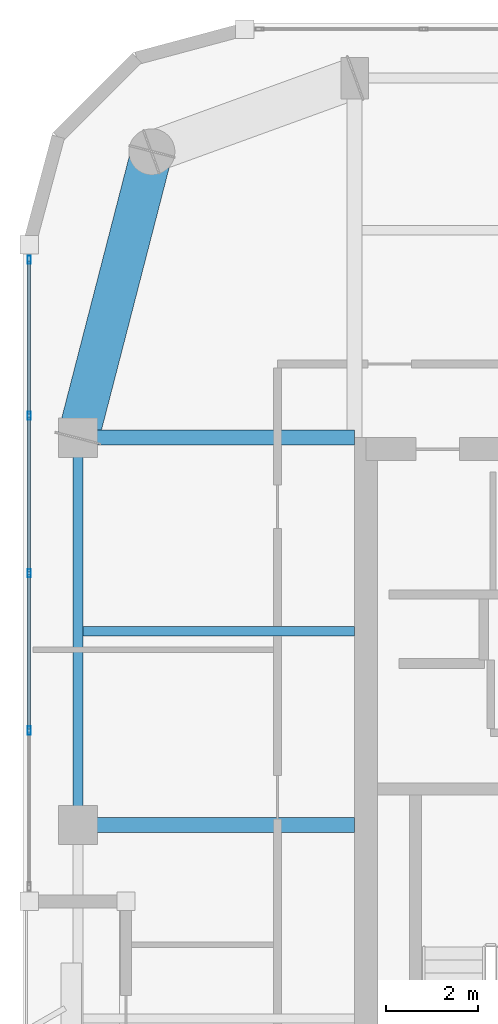
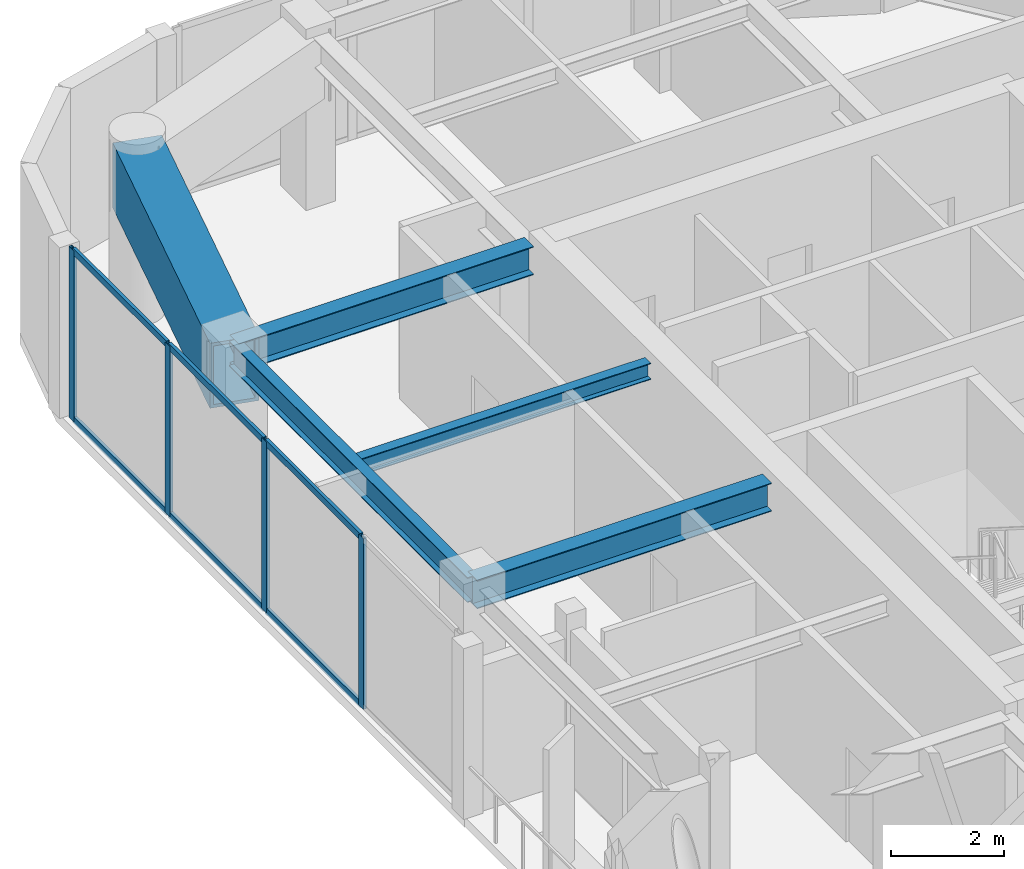
# One storey, part 4 of 16: 10 members, 5 beams, 1 element without a shape of its own.
"""IFC4 building model written with IfcOpenShell, lengths in metres."""

import ifcopenshell
import ifcopenshell.guid

model = None  # the IFC model being written
_history = None  # IfcOwnerHistory: only IFC2X3 demands one
_inside = {}  # id of a spatial element -> (the spatial element, [elements in it])
_under = {}  # id of a project, library or spatial element -> (it, [spatial elements below it])
_declared = {}  # id of a project -> (the project, [libraries it declares])
_typed = {}  # id of a type object -> (the type object, [elements of that type])
_made_of = {}  # id of a material, layer set ... -> (it, [elements and type objects made of it])


def new_model(schema):
    """Start an empty IFC model of exactly this schema.

    Asked for "IFC4X3", IfcOpenShell would pick the latest addendum, in which some entities
    have other attributes; the version numbers below select the first issue.
    IFC2X3 requires an IfcOwnerHistory on every rooted entity: one is made here for all.
    """
    global model, _history
    if schema == "IFC4X3":
        model = ifcopenshell.file(schema_version=(4, 3, 0, 0))
    else:
        model = ifcopenshell.file(schema=schema)
    _inside.clear()
    _under.clear()
    _declared.clear()
    _typed.clear()
    _made_of.clear()
    _history = None
    if model.schema == "IFC2X3":
        org = make("IfcOrganization", Name="unknown")
        user = make(
            "IfcPersonAndOrganization",
            ThePerson=make("IfcPerson", FamilyName="unknown"),
            TheOrganization=org,
        )
        app = make(
            "IfcApplication",
            ApplicationDeveloper=org,
            Version="unknown",
            ApplicationFullName="unknown",
            ApplicationIdentifier="unknown",
        )
        _history = make(
            "IfcOwnerHistory",
            OwningUser=user,
            OwningApplication=app,
            ChangeAction="ADDED",
            CreationDate=0,
        )
    return model


def make(cls, **values):
    """One entity of the class cls with the attributes given. An attribute that is None is left unset."""
    return model.create_entity(
        cls, **{name: value for name, value in values.items() if value is not None}
    )


def rooted(cls, **values):
    """An entity with a GlobalId (a new one), such as an element, a storey or a relation."""
    return make(cls, GlobalId=ifcopenshell.guid.new(), OwnerHistory=_history, **values)


def si_unit(unit_type, name, prefix=None):
    """IfcSIUnit, for example si_unit("LENGTHUNIT", "METRE", prefix="MILLI")."""
    return make("IfcSIUnit", UnitType=unit_type, Prefix=prefix, Name=name)


def assignment(units):
    """IfcUnitAssignment: the units of a project."""
    return None if units is None else make("IfcUnitAssignment", Units=units)


def point(xyz):
    """IfcCartesianPoint."""
    return None if xyz is None else make("IfcCartesianPoint", Coordinates=xyz)


def direction(xyz):
    """IfcDirection."""
    return None if xyz is None else make("IfcDirection", DirectionRatios=xyz)


def frame(location, z_axis=None, x_axis=None):
    """IfcAxis2Placement3D, a coordinate frame: its origin and axes. An axis left out is left unset."""
    return make(
        "IfcAxis2Placement3D",
        Location=point(location),
        Axis=direction(z_axis),
        RefDirection=direction(x_axis),
    )


def frame_2d(location, x_axis=None):
    """IfcAxis2Placement2D, a coordinate frame in the plane: its origin and x axis."""
    return make(
        "IfcAxis2Placement2D", Location=point(location), RefDirection=direction(x_axis)
    )


def origin():
    """The frame at (0, 0, 0) with its axes left unset."""
    return frame((0.0, 0.0, 0.0))


def origin_2d():
    """The frame at (0, 0) in the plane with its x axis left unset."""
    return frame_2d((0.0, 0.0))


def place(relative_to, where):
    """IfcLocalPlacement: puts the frame where relative to a parent placement (None: the world)."""
    return make(
        "IfcLocalPlacement", PlacementRelTo=relative_to, RelativePlacement=where
    )


def context(
    kind, dimensions, precision=None, world=None, true_north=None, identifier=None
):
    """IfcGeometricRepresentationContext, for example the 3D "Model" context."""
    return make(
        "IfcGeometricRepresentationContext",
        ContextIdentifier=identifier,
        ContextType=kind,
        CoordinateSpaceDimension=dimensions,
        Precision=precision,
        WorldCoordinateSystem=world,
        TrueNorth=true_north,
    )


def subcontext(parent, identifier, kind, view, scale=None):
    """IfcGeometricRepresentationSubContext, for example "Body" below "Model"."""
    return make(
        "IfcGeometricRepresentationSubContext",
        ContextIdentifier=identifier,
        ContextType=kind,
        ParentContext=parent,
        TargetScale=scale,
        TargetView=view,
    )


def project(units=None, contexts=None):
    """IfcProject with its units and contexts."""
    return rooted(
        "IfcProject",
        Name="project",
        RepresentationContexts=contexts,
        UnitsInContext=assignment(units),
    )


def spatial(cls, under=None, at=None, **own):
    """A site, building, storey or space (cls), placed at a placement, below another one or the project."""
    s = rooted(cls, ObjectPlacement=at, **own)
    if under is not None:
        _under.setdefault(under.id(), (under, []))[1].append(s)
    return s


def profile(cls, at=None, kind="AREA", **sizes):
    """A parametric profile (cls). Its sizes go by their IFC names, for example OverallWidth=200.0."""
    return make(cls, ProfileType=kind, Position=at, **sizes)


def hollow_rectangle(**sizes):
    """IfcRectangleHollowProfileDef."""
    return profile("IfcRectangleHollowProfileDef", **sizes)


def i_section(**sizes):
    """IfcIShapeProfileDef."""
    return profile("IfcIShapeProfileDef", **sizes)


def extrude(swept, where, along, depth):
    """IfcExtrudedAreaSolid: the profile swept, set in the frame where, extruded along a direction by depth."""
    return make(
        "IfcExtrudedAreaSolid",
        SweptArea=swept,
        Position=where,
        ExtrudedDirection=direction(along),
        Depth=depth,
    )


def shape(context_of_items, identifier, shape_type, items):
    """IfcShapeRepresentation: the items that make up one representation, for example the "Body"."""
    return make(
        "IfcShapeRepresentation",
        ContextOfItems=context_of_items,
        RepresentationIdentifier=identifier,
        RepresentationType=shape_type,
        Items=items,
    )


def material(Name=None, Category=None):
    """IfcMaterial."""
    return make("IfcMaterial", Name=Name, Category=Category)


def layer(
    of_material, thickness, ventilated=None, Name=None, Category=None, Priority=None
):
    """IfcMaterialLayer: one layer of a wall or slab, of a material (None: an air gap)."""
    return make(
        "IfcMaterialLayer",
        Material=of_material,
        LayerThickness=thickness,
        IsVentilated=ventilated,
        Name=Name,
        Category=Category,
        Priority=Priority,
    )


def layer_set(layers, Name=None):
    """IfcMaterialLayerSet."""
    return make("IfcMaterialLayerSet", MaterialLayers=layers, LayerSetName=Name)


def material_profile(
    of_material, cross_section, Name=None, Category=None, Priority=None
):
    """IfcMaterialProfile: a cross section and its material."""
    return make(
        "IfcMaterialProfile",
        Name=Name,
        Material=of_material,
        Profile=cross_section,
        Priority=Priority,
        Category=Category,
    )


def profile_set(profiles, Name=None, composite=None):
    """IfcMaterialProfileSet."""
    return make(
        "IfcMaterialProfileSet",
        Name=Name,
        MaterialProfiles=profiles,
        CompositeProfile=composite,
    )


def made_of(thing, what):
    """Note that an element or type object is made of a material, layer set ...; save() writes the relation."""
    if what is not None:
        _made_of.setdefault(what.id(), (what, []))[1].append(thing)
    return thing


def type_object(cls, material=None, **own):
    """A type object (cls), such as IfcWallType, which elements share."""
    return made_of(rooted(cls, **own), material)


def element(
    cls,
    number,
    at=None,
    inside=None,
    cuts=None,
    type_object=None,
    material=None,
    context=None,
    identifier="Body",
    shape_type=None,
    held_by="IfcProductDefinitionShape",
    body=None,
    shapes=None,
    **own,
):
    """One element of the class cls, such as IfcWall. Its Tag is "e" and its number.

    at: its placement. inside: the storey or other place that contains it. cuts: it is an
    opening in that element (IfcRelVoidsElement). A single representation is given by context,
    identifier, shape_type and body (its items); several are given by shapes. held_by: the class
    of the entity that holds the representations. save() writes the other relations.
    """
    e = rooted(cls, Tag="e%d" % number, ObjectPlacement=at, **own)
    if body is not None:
        shapes = [shape(context, identifier, shape_type, body)]
    if shapes is not None:
        e.Representation = make(held_by, Representations=shapes)
    if inside is not None:
        _inside.setdefault(inside.id(), (inside, []))[1].append(e)
    if cuts is not None:
        rooted(
            "IfcRelVoidsElement", RelatingBuildingElement=cuts, RelatedOpeningElement=e
        )
    if type_object is not None:
        _typed.setdefault(type_object.id(), (type_object, []))[1].append(e)
    return made_of(e, material)


def aggregate(whole, parts):
    """IfcRelAggregates: a whole, such as a stair, and the parts it consists of."""
    return rooted("IfcRelAggregates", RelatingObject=whole, RelatedObjects=parts)


def save(model, path):
    """Write the relations noted so far, then the file.

    IfcRelAggregates (storeys below a building ...), IfcRelContainedInSpatialStructure (elements
    in a storey), IfcRelDefinesByType, IfcRelAssociatesMaterial and IfcRelDeclares: one each for
    every whole, place, type object, material and project.
    """
    for whole, parts in _under.values():
        aggregate(whole, parts)
    for where, things in _inside.values():
        rooted(
            "IfcRelContainedInSpatialStructure",
            RelatedElements=things,
            RelatingStructure=where,
        )
    for kind, things in _typed.values():
        rooted("IfcRelDefinesByType", RelatedObjects=things, RelatingType=kind)
    for what, things in _made_of.values():
        rooted("IfcRelAssociatesMaterial", RelatedObjects=things, RelatingMaterial=what)
    for by, libraries in _declared.values():
        rooted("IfcRelDeclares", RelatingContext=by, RelatedDefinitions=libraries)
    model.write(path)


model = new_model("IFC4")

# Units and contexts
model_context = context("Model", 3, precision=1e-05, world=origin(), true_north=direction((0.0, 1.0)))
body_context = subcontext(model_context, "Body", "Model", "MODEL_VIEW")
ifc_project = project(units=[si_unit("LENGTHUNIT", "METRE"), si_unit("AREAUNIT", "SQUARE_METRE"), si_unit("VOLUMEUNIT", "CUBIC_METRE"), si_unit("PLANEANGLEUNIT", "RADIAN"), si_unit("MASSUNIT", "GRAM", prefix="KILO")], contexts=[model_context])

# Site, building, storey
site_placement = place(None, origin())
site = spatial("IfcSite", under=ifc_project, at=site_placement, CompositionType="ELEMENT")
building_placement = place(site_placement, origin())
building = spatial("IfcBuilding", under=site, at=building_placement, Name="Kiyonajd Concourse Tower", CompositionType="ELEMENT")
storey_placement = place(building_placement, frame((0.0, 0.0, 306.300048828125)))
storey = spatial("IfcBuildingStorey", under=building, at=storey_placement, Name="L77", CompositionType="ELEMENT", Elevation=306.300048828125)

# Beams
ifc_material_1 = material(Name="Steel ASTM A992 Grade 50", Category="steel")
ifc_material_profile_1 = material_profile(ifc_material_1, i_section(OverallWidth=0.205078125, OverallDepth=0.35400390625, WebThickness=0.009521484375, FlangeThickness=0.016845703125, at=origin_2d()), Name="W360X79")
ifc_profile_set_1 = profile_set([ifc_material_profile_1], Name="Steel ASTM A992 Grade 50")
beam_type_1 = type_object("IfcBeamType", Name="BM-JST-360", PredefinedType="JOIST", material=ifc_profile_set_1)
beam_1_placement = place(storey_placement, frame((26.505615234375, 40.199951171875, 3.5029296875), z_axis=(1.0, 0.0, 0.0), x_axis=(0.0, 1.0, 0.0)))
element("IfcBeam", 1, at=beam_1_placement, inside=storey, type_object=beam_type_1, Name="L77 West Secondary Floor Joist", PredefinedType="JOIST", context=body_context, shape_type="SweptSolid", body=[
    extrude(i_section(OverallWidth=0.205078125, OverallDepth=0.35400390625, WebThickness=0.009521484375, FlangeThickness=0.016845703125, at=origin_2d()), origin(), (0.0, 0.0, 1.0), 5.894287109375),
])
ifc_material_profile_2 = material_profile(ifc_material_1, i_section(OverallWidth=0.2109375, OverallDepth=0.5390625, WebThickness=0.01171875, FlangeThickness=0.018798828125, at=origin_2d()), Name="W530X109")
ifc_profile_set_2 = profile_set([ifc_material_profile_2], Name="Steel ASTM A992 Grade 50")
beam_type_2 = type_object("IfcBeamType", Name="BM-SPAN-530B", PredefinedType="SPANDREL", material=ifc_profile_set_2)
beam_2_placement = place(storey_placement, frame((26.39990234375, 44.39990234375, 3.410400390625), z_axis=(0.0, -1.0, 0.0), x_axis=(1.0, 0.0, 0.0)))
element("IfcBeam", 2, at=beam_2_placement, inside=storey, type_object=beam_type_2, Name="L77 Perimeter Bundled Tube Spandrel", PredefinedType="SPANDREL", context=body_context, shape_type="SweptSolid", body=[
    extrude(i_section(OverallWidth=0.2109375, OverallDepth=0.5390625, WebThickness=0.01171875, FlangeThickness=0.018798828125, at=origin_2d()), origin(), (0.0, 0.0, 1.0), 8.39990234375),
])
ifc_material_profile_3 = material_profile(ifc_material_1, i_section(OverallWidth=0.323974609375, OverallDepth=0.611083984375, WebThickness=0.0126953125, FlangeThickness=0.01904296875, at=origin_2d()), Name="W610X155")
ifc_profile_set_3 = profile_set([ifc_material_profile_3], Name="Steel ASTM A992 Grade 50")
beam_type_3 = type_object("IfcBeamType", Name="BM-TWR-610B", PredefinedType="BEAM", material=ifc_profile_set_3)
for number, where, z_axis, x_axis, name in (
    (3, (26.39990234375, 36.0, 3.37451171875), (1.0, 0.0, 0.0), (0.0, 1.0, 0.0), "L77 West Lease Girder"),
    (4, (26.39990234375, 44.39990234375, 3.37451171875), (1.0, 0.0, 0.0), (0.0, 1.0, 0.0), "L77 West Lease Girder"),
):
    element("IfcBeam", number, at=place(storey_placement, frame(where, z_axis=z_axis, x_axis=x_axis)), inside=storey, type_object=beam_type_3, Name=name, PredefinedType="BEAM", context=body_context, shape_type="SweptSolid", body=[
        extrude(i_section(OverallWidth=0.323974609375, OverallDepth=0.611083984375, WebThickness=0.0126953125, FlangeThickness=0.01904296875, at=origin_2d()), origin(), (0.0, 0.0, 1.0), 6.0),
    ])
ifc_material_2 = material(Name="Steel ASTM A572 Grade 50", Category="steel")
ifc_material_profile_4 = material_profile(ifc_material_2, hollow_rectangle(XDim=0.89990234375, YDim=1.39990234375, WallThickness=0.070068359375, at=origin_2d()), Name="BOX-1400x900x70")
ifc_profile_set_4 = profile_set([ifc_material_profile_4], Name="Steel ASTM A572 Grade 50")
beam_type_4 = type_object("IfcBeamType", Name="BM-XFER-1400", PredefinedType="BEAM", material=ifc_profile_set_4)
beam_3_placement = place(storey_placement, frame((28.0, 50.60009765625, 2.97998046875), z_axis=(-0.249884937687, -0.968275538221, 0.0), x_axis=(0.968275538221, -0.249884937687, 0.0)))
element("IfcBeam", 5, at=beam_3_placement, inside=storey, type_object=beam_type_4, Name="L77 Perimeter Bundled Tube Spandrel", PredefinedType="BEAM", context=body_context, shape_type="SweptSolid", body=[
    extrude(hollow_rectangle(XDim=0.89990234375, YDim=1.39990234375, WallThickness=0.070068359375, at=origin_2d()), origin(), (0.0, 0.0, 1.0), 6.4033203125),
])

# Curtain wall, members
ifc_material_3 = material(Name="Thermally Broken Anodised Aluminium", Category="aluminium")
ifc_layer = layer(ifc_material_3, 0.179931640625)
ifc_layer_set = layer_set([ifc_layer], Name="Thermally Broken Anodised Aluminium")
curtain_wall_type = type_object("IfcCurtainWallType", Name="CW-SYS-04", PredefinedType="NOTDEFINED", material=ifc_layer_set)
curtain_wall_placement = place(storey_placement, origin())
curtain_wall = element("IfcCurtainWall", 6, at=curtain_wall_placement, inside=storey, type_object=curtain_wall_type, Name="L77 Unitised Curtain Wall CW4", PredefinedType="NOTDEFINED")
ifc_material_profile_5 = material_profile(ifc_material_3, hollow_rectangle(XDim=0.06494140625, YDim=0.179931640625, WallThickness=0.00390625, at=origin_2d()), Name="MULL-65x180")
ifc_profile_set_5 = profile_set([ifc_material_profile_5], Name="Thermally Broken Anodised Aluminium")
member_type_1 = type_object("IfcMemberType", Name="MB-CW-MULL1", PredefinedType="MULLION", material=ifc_profile_set_5)
member_1_placement = place(storey_placement, frame((25.340087890625, 38.04541015625, 0.0), z_axis=(0.0, 0.0, 1.0), x_axis=(-1.0, 0.0, 0.0)))
member_1 = element("IfcMember", 7, at=member_1_placement, type_object=member_type_1, Name="CW4 mullion 2", PredefinedType="MULLION", context=body_context, shape_type="SweptSolid", body=[
    extrude(hollow_rectangle(XDim=0.06494140625, YDim=0.179931640625, WallThickness=0.00390625, at=origin_2d()), origin(), (0.0, 0.0, 1.0), 3.679931640625),
])
member_2_placement = place(storey_placement, frame((25.340087890625, 41.460693359375, 0.0), z_axis=(0.0, 0.0, 1.0), x_axis=(-1.0, 0.0, 0.0)))
member_2 = element("IfcMember", 8, at=member_2_placement, type_object=member_type_1, Name="CW4 mullion 3", PredefinedType="MULLION", context=body_context, shape_type="SweptSolid", body=[
    extrude(hollow_rectangle(XDim=0.06494140625, YDim=0.179931640625, WallThickness=0.00390625, at=origin_2d()), origin(), (0.0, 0.0, 1.0), 3.679931640625),
])
member_3_placement = place(storey_placement, frame((25.340087890625, 44.876220703125, 0.0), z_axis=(0.0, 0.0, 1.0), x_axis=(-1.0, 0.0, 0.0)))
member_3 = element("IfcMember", 9, at=member_3_placement, type_object=member_type_1, Name="CW4 mullion 4", PredefinedType="MULLION", context=body_context, shape_type="SweptSolid", body=[
    extrude(hollow_rectangle(XDim=0.06494140625, YDim=0.179931640625, WallThickness=0.00390625, at=origin_2d()), origin(), (0.0, 0.0, 1.0), 3.679931640625),
])
member_4_placement = place(storey_placement, frame((25.340087890625, 48.259033203125, 0.0), z_axis=(0.0, 0.0, 1.0), x_axis=(-1.0, 0.0, 0.0)))
member_4 = element("IfcMember", 10, at=member_4_placement, type_object=member_type_1, Name="CW4 mullion 5", PredefinedType="MULLION", context=body_context, shape_type="SweptSolid", body=[
    extrude(hollow_rectangle(XDim=0.06494140625, YDim=0.179931640625, WallThickness=0.00390625, at=origin_2d()), origin(), (0.0, 0.0, 1.0), 3.679931640625),
])
ifc_material_profile_6 = material_profile(ifc_material_3, hollow_rectangle(XDim=0.06494140625, YDim=0.139892578125, WallThickness=0.00390625, at=origin_2d()), Name="TRAN-65x140")
ifc_profile_set_6 = profile_set([ifc_material_profile_6], Name="Thermally Broken Anodised Aluminium")
member_type_2 = type_object("IfcMemberType", Name="MB-CW-TRAN1", PredefinedType="USERDEFINED", material=ifc_profile_set_6)
member_5_placement = place(storey_placement, frame((25.340087890625, 38.077880859375, 0.032470703125), z_axis=(0.0, 1.0, 0.0), x_axis=(-1.0, 0.0, 0.0)))
member_5 = element("IfcMember", 11, at=member_5_placement, type_object=member_type_2, Name="CW4 transom 2.1", ObjectType="TRANSOM", PredefinedType="USERDEFINED", context=body_context, shape_type="SweptSolid", body=[
    extrude(hollow_rectangle(XDim=0.06494140625, YDim=0.139892578125, WallThickness=0.00390625, at=origin_2d()), origin(), (0.0, 0.0, 1.0), 3.350341796875),
])
member_6_placement = place(storey_placement, frame((25.340087890625, 38.077880859375, 3.6474609375), z_axis=(0.0, 1.0, 0.0), x_axis=(-1.0, 0.0, 0.0)))
member_6 = element("IfcMember", 12, at=member_6_placement, type_object=member_type_2, Name="CW4 transom 2.2", ObjectType="TRANSOM", PredefinedType="USERDEFINED", context=body_context, shape_type="SweptSolid", body=[
    extrude(hollow_rectangle(XDim=0.06494140625, YDim=0.139892578125, WallThickness=0.00390625, at=origin_2d()), origin(), (0.0, 0.0, 1.0), 3.350341796875),
])
member_7_placement = place(storey_placement, frame((25.340087890625, 41.493408203125, 0.032470703125), z_axis=(0.0, 1.0, 0.0), x_axis=(-1.0, 0.0, 0.0)))
member_7 = element("IfcMember", 13, at=member_7_placement, type_object=member_type_2, Name="CW4 transom 3.1", ObjectType="TRANSOM", PredefinedType="USERDEFINED", context=body_context, shape_type="SweptSolid", body=[
    extrude(hollow_rectangle(XDim=0.06494140625, YDim=0.139892578125, WallThickness=0.00390625, at=origin_2d()), origin(), (0.0, 0.0, 1.0), 3.350341796875),
])
member_8_placement = place(storey_placement, frame((25.340087890625, 41.493408203125, 3.6474609375), z_axis=(0.0, 1.0, 0.0), x_axis=(-1.0, 0.0, 0.0)))
member_8 = element("IfcMember", 14, at=member_8_placement, type_object=member_type_2, Name="CW4 transom 3.2", ObjectType="TRANSOM", PredefinedType="USERDEFINED", context=body_context, shape_type="SweptSolid", body=[
    extrude(hollow_rectangle(XDim=0.06494140625, YDim=0.139892578125, WallThickness=0.00390625, at=origin_2d()), origin(), (0.0, 0.0, 1.0), 3.350341796875),
])
member_9_placement = place(storey_placement, frame((25.340087890625, 44.90869140625, 0.032470703125), z_axis=(0.0, 1.0, 0.0), x_axis=(-1.0, 0.0, 0.0)))
member_9 = element("IfcMember", 15, at=member_9_placement, type_object=member_type_2, Name="CW4 transom 4.1", ObjectType="TRANSOM", PredefinedType="USERDEFINED", context=body_context, shape_type="SweptSolid", body=[
    extrude(hollow_rectangle(XDim=0.06494140625, YDim=0.139892578125, WallThickness=0.00390625, at=origin_2d()), origin(), (0.0, 0.0, 1.0), 3.31787109375),
])
member_10_placement = place(storey_placement, frame((25.340087890625, 44.90869140625, 3.6474609375), z_axis=(0.0, 1.0, 0.0), x_axis=(-1.0, 0.0, 0.0)))
member_10 = element("IfcMember", 16, at=member_10_placement, type_object=member_type_2, Name="CW4 transom 4.2", ObjectType="TRANSOM", PredefinedType="USERDEFINED", context=body_context, shape_type="SweptSolid", body=[
    extrude(hollow_rectangle(XDim=0.06494140625, YDim=0.139892578125, WallThickness=0.00390625, at=origin_2d()), origin(), (0.0, 0.0, 1.0), 3.31787109375),
])
aggregate(curtain_wall, [member_1, member_2, member_3, member_4, member_5, member_6, member_7, member_8, member_9, member_10])

save(model, "model.ifc")
